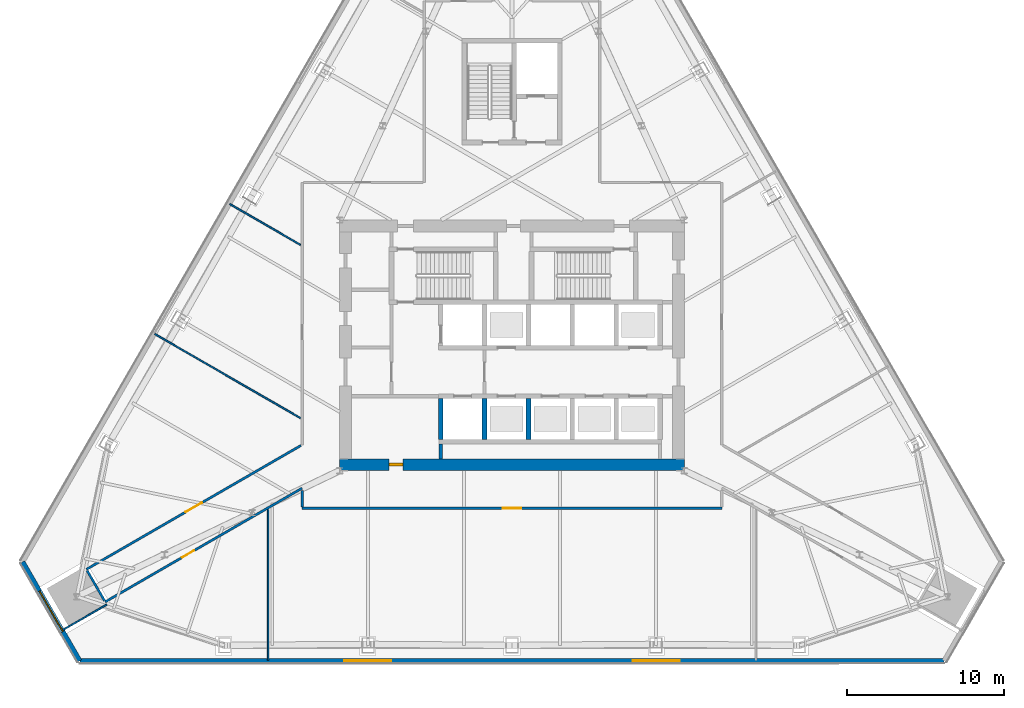
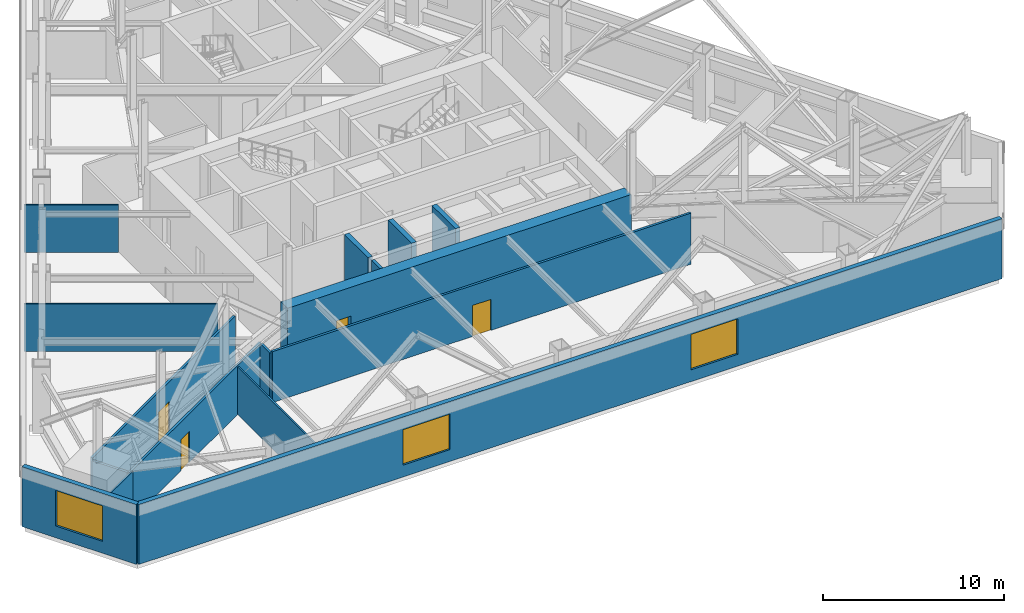
# One storey, part 8 of 13: 16 walls, 4 doors, 3 windows, 7 openings.
"""IFC4 building model written with IfcOpenShell, lengths in metres."""

from ifc_helpers import new_model, si_unit, direction, frame, frame_2d, origin, place, context, subcontext, project, spatial, rectangle, extrude, material, layer, layer_set, type_object, element, fill, save


model = new_model("IFC4")

# Units and contexts
model_context = context("Model", 3, precision=1e-05, world=origin(), true_north=direction((0.0, 1.0)))
body_context = subcontext(model_context, "Body", "Model", "MODEL_VIEW")
ifc_project = project(units=[si_unit("LENGTHUNIT", "METRE"), si_unit("AREAUNIT", "SQUARE_METRE"), si_unit("VOLUMEUNIT", "CUBIC_METRE"), si_unit("PLANEANGLEUNIT", "RADIAN"), si_unit("MASSUNIT", "GRAM", prefix="KILO")], contexts=[model_context])

# Site, building, storey
site_placement = place(None, origin())
site = spatial("IfcSite", under=ifc_project, at=site_placement, CompositionType="ELEMENT")
building_placement = place(site_placement, origin())
building = spatial("IfcBuilding", under=site, at=building_placement, Name="Firuza Gate Tower and Library", CompositionType="ELEMENT")
storey_placement = place(building_placement, frame((0.0, 0.0, 146.800048828125)))
storey = spatial("IfcBuildingStorey", under=building, at=storey_placement, Name="L33", CompositionType="ELEMENT", Elevation=146.800048828125)

# Walls
ifc_material_1 = material(Name="Plasterboard on steel studs", Category="steel")
ifc_layer_1 = layer(ifc_material_1, 0.199951171875)
ifc_layer_set_1 = layer_set([ifc_layer_1], Name="Core partition 200 EI 120")
wall_type_1 = type_object("IfcWallType", Name="Core partition 200 EI 120", PredefinedType="PARTITIONING", material=ifc_layer_set_1)
wall_1_placement = place(storey_placement, frame((70.449951171875, 67.75, 0.0), z_axis=(0.0, 0.0, 1.0), x_axis=(0.0, 1.0, 0.0)))
element("IfcWall", 1, at=wall_1_placement, inside=storey, type_object=wall_type_1, Name="Core partition L33 9", PredefinedType="PARTITIONING", context=body_context, shape_type="SweptSolid", body=[
    extrude(rectangle(XDim=0.949951171875, YDim=0.199951171875, at=frame_2d((0.47509765625, 0.0))), origin(), (0.0, 0.0, 1.0), 4.050048828125),
])
ifc_material_2 = material(Name="Concrete C80/95", Category="concrete")
ifc_layer_2 = layer(ifc_material_2, 0.300048828125)
ifc_layer_set_2 = layer_set([ifc_layer_2], Name="Core wall 300 C80/95")
wall_type_2 = type_object("IfcWallType", Name="Core wall 300 C80/95", PredefinedType="SHEAR", material=ifc_layer_set_2)
for number, where, z_axis, x_axis, name in (
    (2, (70.449951171875, 69.0, 0.0), (0.0, 0.0, 1.0), (0.0, 1.0, 0.0), "Core wall L33 8"),
    (3, (73.25, 69.0, 0.0), (0.0, 0.0, 1.0), (0.0, 1.0, 0.0), "Core wall L33 10"),
    (4, (76.050048828125, 69.0, 0.0), (0.0, 0.0, 1.0), (0.0, 1.0, 0.0), "Core wall L33 12"),
):
    element("IfcWall", number, at=place(storey_placement, frame(where, z_axis=z_axis, x_axis=x_axis)), inside=storey, type_object=wall_type_2, Name=name, PredefinedType="SHEAR", context=body_context, shape_type="SweptSolid", body=[
        extrude(rectangle(XDim=2.60009765625, YDim=0.300048828125, at=frame_2d((1.300048828125, 0.0))), origin(), (0.0, 0.0, 1.0), 4.050048828125),
    ])

# Wall, opening, door
ifc_material_3 = material(Name="Concrete C80/95", Category="concrete")
ifc_layer_3 = layer(ifc_material_3, 0.75)
ifc_layer_set_3 = layer_set([ifc_layer_3], Name="Core wall 750 C80/95")
wall_type_3 = type_object("IfcWallType", Name="Core wall 750 C80/95", PredefinedType="SHEAR", material=ifc_layer_set_3)
wall_2_placement = place(storey_placement, frame((64.0, 67.375, 0.0), z_axis=(0.0, 0.0, 1.0), x_axis=(1.0, 0.0, 0.0)))
wall_2 = element("IfcWall", 5, at=wall_2_placement, inside=storey, type_object=wall_type_3, Name="Core wall L33 1", PredefinedType="SHEAR", context=body_context, shape_type="SweptSolid", body=[
    extrude(rectangle(XDim=22.0, YDim=0.75, at=frame_2d((11.0, 0.0))), origin(), (0.0, 0.0, 1.0), 4.050048828125),
])
opening_1_placement = place(wall_2_placement, frame((3.14990234375, 0.0, 0.0)))
opening_1 = element("IfcOpeningElement", 6, at=opening_1_placement, cuts=wall_2, Name="Opening L33-K22", PredefinedType="OPENING", context=body_context, shape_type="SweptSolid", body=[
    extrude(rectangle(XDim=0.89990234375, YDim=2.10009765625, at=frame_2d((0.449951171875, 1.050048828125))), frame((0.0, 0.385009765625, 0.0), z_axis=(0.0, -1.0, 0.0), x_axis=(1.0, 0.0, 0.0)), (0.0, 0.0, 1.0), 0.77001953125),
])
ifc_material_4 = material(Name="Steel", Category="steel")
door_type_1 = type_object("IfcDoorType", Name="Fire door 900x2100 FD30S", OperationType="NOTDEFINED", PredefinedType="DOOR", material=ifc_material_4)
door_1_placement = place(opening_1_placement, origin())
door_1 = element("IfcDoor", 7, at=door_1_placement, inside=storey, type_object=door_type_1, Name="Door L33-K22", OperationType="SINGLE_SWING_LEFT", OverallHeight=2.10009765625, OverallWidth=0.89990234375, PredefinedType="DOOR", context=body_context, shape_type="SweptSolid", body=[
    extrude(rectangle(XDim=0.89990234375, YDim=2.10009765625, at=frame_2d((0.449951171875, 1.050048828125))), frame((0.0, 0.094970703125, 0.0), z_axis=(0.0, -1.0, 0.0), x_axis=(1.0, 0.0, 0.0)), (0.0, 0.0, 1.0), 0.18994140625),
])
fill(opening_1, door_1)

ifc_material_5 = material(Name="Gypsum board partition")
ifc_layer_4 = layer(ifc_material_5, 0.14990234375)
ifc_layer_set_4 = layer_set([ifc_layer_4], Name="Corridor wall 150 double board on steel studs")
wall_type_4 = type_object("IfcWallType", Name="Corridor wall 150 double board on steel studs", PredefinedType="PARTITIONING", material=ifc_layer_set_4)
wall_3_placement = place(storey_placement, frame((88.3994140625, 64.60009765625, 0.0), z_axis=(0.0, 0.0, 1.0), x_axis=(-1.0, 0.0, 0.0)))
wall_3 = element("IfcWall", 8, at=wall_3_placement, inside=storey, type_object=wall_type_4, Name="f:L33:w000", PredefinedType="PARTITIONING", context=body_context, shape_type="SweptSolid", body=[
    extrude(rectangle(XDim=26.798828125, YDim=0.14990234375, at=frame_2d((13.3994140625, 0.0))), origin(), (0.0, 0.0, 1.0), 3.449951171875),
])
opening_2_placement = place(wall_3_placement, frame((12.799560546875, 0.0, 0.0)))
opening_2 = element("IfcOpeningElement", 9, at=opening_2_placement, cuts=wall_3, Name="Opening L33-01", PredefinedType="OPENING", context=body_context, shape_type="SweptSolid", body=[
    extrude(rectangle(XDim=1.199951171875, YDim=2.10009765625, at=frame_2d((0.60009765625, 1.050048828125))), frame((0.0, 0.0849609375, 0.0), z_axis=(0.0, -1.0, 0.0), x_axis=(1.0, 0.0, 0.0)), (0.0, 0.0, 1.0), 0.169921875),
])
ifc_material_6 = material(Name="Steel door and timber leaf", Category="steel")
door_type_2 = type_object("IfcDoorType", Name="Fire door 1200 x 2100 steel frame, double leaf", OperationType="NOTDEFINED", PredefinedType="DOOR", material=ifc_material_6)
door_2_placement = place(opening_2_placement, origin())
door_2 = element("IfcDoor", 10, at=door_2_placement, inside=storey, type_object=door_type_2, Name="f:L33:d001", OperationType="DOUBLE_DOOR_SINGLE_SWING", OverallHeight=2.10009765625, OverallWidth=1.199951171875, PredefinedType="DOOR", context=body_context, shape_type="SweptSolid", body=[
    extrude(rectangle(XDim=1.199951171875, YDim=2.10009765625, at=frame_2d((0.60009765625, 1.050048828125))), frame((0.0, 0.02490234375, 0.0), z_axis=(0.0, -1.0, 0.0), x_axis=(1.0, 0.0, 0.0)), (0.0, 0.0, 1.0), 0.050048828125),
])
fill(opening_2, door_2)

wall_4_placement = place(storey_placement, frame((61.599853515625, 65.8779296875, 0.0), z_axis=(0.0, 0.0, 1.0), x_axis=(-0.866027154752, -0.499996967223, 0.0)))
wall_4 = element("IfcWall", 11, at=wall_4_placement, inside=storey, type_object=wall_type_4, Name="f:L33:w008", PredefinedType="PARTITIONING", context=body_context, shape_type="SweptSolid", body=[
    extrude(rectangle(XDim=14.5244140625, YDim=0.14990234375, at=frame_2d((7.26220703125, 0.0))), origin(), (0.0, 0.0, 1.0), 3.296875),
])
opening_3_placement = place(wall_4_placement, frame((7.964599609375, 0.0, 0.0)))
opening_3 = element("IfcOpeningElement", 12, at=opening_3_placement, cuts=wall_4, Name="Opening L33-05", PredefinedType="OPENING", context=body_context, shape_type="SweptSolid", body=[
    extrude(rectangle(XDim=0.89990234375, YDim=2.10009765625, at=frame_2d((0.449951171875, 1.050048828125))), frame((0.0, 0.0849609375, 0.0), z_axis=(0.0, -1.0, 0.0), x_axis=(1.0, 0.0, 0.0)), (0.0, 0.0, 1.0), 0.169921875),
])
ifc_material_7 = material(Name="Steel door and timber leaf", Category="steel")
door_type_3 = type_object("IfcDoorType", Name="Fire door 900 x 2100 steel frame, timber leaf", OperationType="NOTDEFINED", PredefinedType="DOOR", material=ifc_material_7)
door_3_placement = place(opening_3_placement, origin())
door_3 = element("IfcDoor", 13, at=door_3_placement, inside=storey, type_object=door_type_3, Name="f:L33:d005", OperationType="SINGLE_SWING_RIGHT", OverallHeight=2.10009765625, OverallWidth=0.89990234375, PredefinedType="DOOR", context=body_context, shape_type="SweptSolid", body=[
    extrude(rectangle(XDim=0.89990234375, YDim=2.10009765625, at=frame_2d((0.449951171875, 1.050048828125))), frame((0.0, 0.02490234375, 0.0), z_axis=(0.0, -1.0, 0.0), x_axis=(1.0, 0.0, 0.0)), (0.0, 0.0, 1.0), 0.050048828125),
])
fill(opening_3, door_3)

wall_5_placement = place(storey_placement, frame((47.822265625, 60.693359375, 0.0), z_axis=(0.0, 0.0, 1.0), x_axis=(0.866022169491, 0.500005601919, 0.0)))
wall_5 = element("IfcWall", 14, at=wall_5_placement, inside=storey, type_object=wall_type_4, Name="f:L33:w009", PredefinedType="PARTITIONING", context=body_context, shape_type="SweptSolid", body=[
    extrude(rectangle(XDim=15.822998046875, YDim=0.14990234375, at=frame_2d((7.91162109375, 0.0))), origin(), (0.0, 0.0, 1.0), 3.449951171875),
])
opening_4_placement = place(wall_5_placement, frame((7.3115234375, 0.0, 0.0)))
opening_4 = element("IfcOpeningElement", 15, at=opening_4_placement, cuts=wall_5, Name="Opening L33-06", PredefinedType="OPENING", context=body_context, shape_type="SweptSolid", body=[
    extrude(rectangle(XDim=1.199951171875, YDim=2.10009765625, at=frame_2d((0.60009765625, 1.050048828125))), frame((0.0, 0.0849609375, 0.0), z_axis=(0.0, -1.0, 0.0), x_axis=(1.0, 0.0, 0.0)), (0.0, 0.0, 1.0), 0.169921875),
])
door_4_placement = place(opening_4_placement, origin())
door_4 = element("IfcDoor", 16, at=door_4_placement, inside=storey, type_object=door_type_2, Name="f:L33:d006", OperationType="DOUBLE_DOOR_SINGLE_SWING", OverallHeight=2.10009765625, OverallWidth=1.199951171875, PredefinedType="DOOR", context=body_context, shape_type="SweptSolid", body=[
    extrude(rectangle(XDim=1.199951171875, YDim=2.10009765625, at=frame_2d((0.60009765625, 1.050048828125))), frame((0.0, 0.02490234375, 0.0), z_axis=(0.0, -1.0, 0.0), x_axis=(1.0, 0.0, 0.0)), (0.0, 0.0, 1.0), 0.050048828125),
])
fill(opening_4, door_4)

# Walls
wall_6_placement = place(storey_placement, frame((61.60009765625, 64.675537109375, 0.0), z_axis=(0.0, 0.0, 1.0), x_axis=(0.0, 1.0, 0.0)))
element("IfcWall", 17, at=wall_6_placement, inside=storey, type_object=wall_type_4, Name="f:L33:w020", PredefinedType="PARTITIONING", context=body_context, shape_type="SweptSolid", body=[
    extrude(rectangle(XDim=1.065673828125, YDim=0.14990234375, at=frame_2d((0.53271484375, 0.0))), origin(), (0.0, 0.0, 1.0), 3.296875),
])
wall_7_placement = place(storey_placement, frame((48.980712890625, 58.68505859375, 0.0), z_axis=(0.0, 0.0, 1.0), x_axis=(-0.500006267848, 0.866021785011, 0.0)))
element("IfcWall", 18, at=wall_7_placement, inside=storey, type_object=wall_type_4, Name="f:L33:w023", PredefinedType="PARTITIONING", context=body_context, shape_type="SweptSolid", body=[
    extrude(rectangle(XDim=2.23388671875, YDim=0.14990234375, at=frame_2d((1.116943359375, 0.0))), origin(), (0.0, 0.0, 1.0), 3.296875),
])
ifc_material_8 = material(Name="Gypsum board partition")
ifc_layer_5 = layer(ifc_material_8, 0.10009765625)
ifc_layer_set_5 = layer_set([ifc_layer_5], Name="Partition 100 gypsum board on steel studs")
wall_type_5 = type_object("IfcWallType", Name="Partition 100 gypsum board on steel studs", PredefinedType="PARTITIONING", material=ifc_layer_set_5)
wall_8_placement = place(storey_placement, frame((46.2998046875, 56.8134765625, 0.0), z_axis=(0.0, 0.0, 1.0), x_axis=(0.866034567317, 0.49998412796, 0.0)))
element("IfcWall", 19, at=wall_8_placement, inside=storey, type_object=wall_type_5, Name="f:L33:w007", PredefinedType="PARTITIONING", context=body_context, shape_type="SweptSolid", body=[
    extrude(rectangle(XDim=3.25732421875, YDim=0.10009765625, at=frame_2d((1.628662109375, 0.0))), origin(), (0.0, 0.0, 1.0), 3.449951171875),
])
wall_9_placement = place(storey_placement, frame((59.427978515625, 54.877197265625, 0.0), z_axis=(0.0, 0.0, 1.0), x_axis=(0.0, 1.0, 0.0)))
element("IfcWall", 20, at=wall_9_placement, inside=storey, type_object=wall_type_5, Name="f:L33:w022", PredefinedType="PARTITIONING", context=body_context, shape_type="SweptSolid", body=[
    extrude(rectangle(XDim=9.630126953125, YDim=0.10009765625, at=frame_2d((4.81494140625, 0.0))), origin(), (0.0, 0.0, 1.0), 3.21484375),
])
wall_10_placement = place(storey_placement, frame((61.498291015625, 81.410400390625, 0.0), z_axis=(0.0, 0.0, 1.0), x_axis=(-0.866017510603, 0.500013671143, 0.0)))
element("IfcWall", 21, at=wall_10_placement, inside=storey, type_object=wall_type_5, Name="f:L33:w027", PredefinedType="PARTITIONING", context=body_context, shape_type="SweptSolid", body=[
    extrude(rectangle(XDim=5.224853515625, YDim=0.10009765625, at=frame_2d((2.6123046875, 0.0))), origin(), (0.0, 0.0, 1.0), 3.21484375),
])
wall_11_placement = place(storey_placement, frame((61.498779296875, 70.34619140625, 0.0), z_axis=(0.0, 0.0, 1.0), x_axis=(-0.866026474193, 0.499998145993, 0.0)))
element("IfcWall", 22, at=wall_11_placement, inside=storey, type_object=wall_type_5, Name="f:L33:w029", PredefinedType="PARTITIONING", context=body_context, shape_type="SweptSolid", body=[
    extrude(rectangle(XDim=10.75732421875, YDim=0.10009765625, at=frame_2d((5.378662109375, 0.0))), origin(), (0.0, 0.0, 1.0), 3.21484375),
])

# Wall, openings, windows
ifc_material_9 = material(Name="Concrete C40/50", Category="concrete")
ifc_layer_6 = layer(ifc_material_9, 0.300048828125)
ifc_layer_set_6 = layer_set([ifc_layer_6], Name="Plant louvre wall 300")
wall_type_6 = type_object("IfcWallType", Name="Plant louvre wall 300", PredefinedType="SOLIDWALL", material=ifc_layer_set_6)
wall_12_placement = place(storey_placement, frame((47.39794921875, 54.84716796875, 0.0), z_axis=(0.0, 0.0, 1.0), x_axis=(1.0, 0.0, 0.0)))
wall_12 = element("IfcWall", 23, at=wall_12_placement, inside=storey, type_object=wall_type_6, Name="Plant louvre wall 1", PredefinedType="SOLIDWALL", context=body_context, shape_type="SweptSolid", body=[
    extrude(rectangle(XDim=55.2041015625, YDim=0.300048828125, at=frame_2d((27.60205078125, 0.0))), origin(), (0.0, 0.0, 1.0), 4.050048828125),
])
opening_5_placement = place(wall_12_placement, frame((16.895263671875, 0.0, 0.800048828125)))
opening_5 = element("IfcOpeningElement", 24, at=opening_5_placement, cuts=wall_12, Name="Opening WD3-001", PredefinedType="OPENING", context=body_context, shape_type="SweptSolid", body=[
    extrude(rectangle(XDim=3.0, YDim=2.39990234375, at=frame_2d((1.5, 1.199951171875))), frame((0.0, 0.16015625, 0.0), z_axis=(0.0, -1.0, 0.0), x_axis=(1.0, 0.0, 0.0)), (0.0, 0.0, 1.0), 0.320068359375),
])
opening_6_placement = place(wall_12_placement, frame((35.30859375, 0.0, 0.800048828125)))
opening_6 = element("IfcOpeningElement", 25, at=opening_6_placement, cuts=wall_12, Name="Opening WD3-002", PredefinedType="OPENING", context=body_context, shape_type="SweptSolid", body=[
    extrude(rectangle(XDim=3.0, YDim=2.39990234375, at=frame_2d((1.5, 1.199951171875))), frame((0.0, 0.16015625, 0.0), z_axis=(0.0, -1.0, 0.0), x_axis=(1.0, 0.0, 0.0)), (0.0, 0.0, 1.0), 0.320068359375),
])
ifc_material_10 = material(Name="Aluminium 6063-T6", Category="aluminium")
window_type = type_object("IfcWindowType", Name="Plant louvre 3000x2400", PartitioningType="SINGLE_PANEL", PredefinedType="WINDOW", material=ifc_material_10)
window_1_placement = place(opening_5_placement, origin())
window_1 = element("IfcWindow", 26, at=window_1_placement, inside=storey, type_object=window_type, Name="e:pwall:L33:0/L0", OverallHeight=2.39990234375, OverallWidth=3.0, PartitioningType="SINGLE_PANEL", PredefinedType="WINDOW", context=body_context, shape_type="SweptSolid", body=[
    extrude(rectangle(XDim=3.0, YDim=2.39990234375, at=frame_2d((1.5, 1.199951171875))), frame((0.0, 0.030029296875, 0.0), z_axis=(0.0, -1.0, 0.0), x_axis=(1.0, 0.0, 0.0)), (0.0, 0.0, 1.0), 0.06005859375),
])
fill(opening_5, window_1)
window_2_placement = place(opening_6_placement, origin())
window_2 = element("IfcWindow", 27, at=window_2_placement, inside=storey, type_object=window_type, Name="e:pwall:L33:0/L1", OverallHeight=2.39990234375, OverallWidth=3.0, PartitioningType="SINGLE_PANEL", PredefinedType="WINDOW", context=body_context, shape_type="SweptSolid", body=[
    extrude(rectangle(XDim=3.0, YDim=2.39990234375, at=frame_2d((1.5, 1.199951171875))), frame((0.0, 0.030029296875, 0.0), z_axis=(0.0, -1.0, 0.0), x_axis=(1.0, 0.0, 0.0)), (0.0, 0.0, 1.0), 0.06005859375),
])
fill(opening_6, window_2)

# Wall, opening, window
wall_13_placement = place(storey_placement, frame((43.74609375, 61.17236328125, 0.0), z_axis=(0.0, 0.0, 1.0), x_axis=(0.500000231294, -0.866025270247, 0.0)))
wall_13 = element("IfcWall", 28, at=wall_13_placement, inside=storey, type_object=wall_type_6, Name="Plant louvre wall 6", PredefinedType="SOLIDWALL", context=body_context, shape_type="SweptSolid", body=[
    extrude(rectangle(XDim=7.3037109375, YDim=0.300048828125, at=frame_2d((3.65185546875, 0.0))), origin(), (0.0, 0.0, 1.0), 4.050048828125),
])
opening_7_placement = place(wall_13_placement, frame((2.15185546875, 0.0, 0.800048828125)))
opening_7 = element("IfcOpeningElement", 29, at=opening_7_placement, cuts=wall_13, Name="Opening WD3-009", PredefinedType="OPENING", context=body_context, shape_type="SweptSolid", body=[
    extrude(rectangle(XDim=3.0, YDim=2.39990234375, at=frame_2d((1.5, 1.199951171875))), frame((0.0, 0.16015625, 0.0), z_axis=(0.0, -1.0, 0.0), x_axis=(1.0, 0.0, 0.0)), (0.0, 0.0, 1.0), 0.320068359375),
])
window_3_placement = place(opening_7_placement, origin())
window_3 = element("IfcWindow", 30, at=window_3_placement, inside=storey, type_object=window_type, Name="e:pwall:L33:5/L0", OverallHeight=2.39990234375, OverallWidth=3.0, PartitioningType="SINGLE_PANEL", PredefinedType="WINDOW", context=body_context, shape_type="SweptSolid", body=[
    extrude(rectangle(XDim=3.0, YDim=2.39990234375, at=frame_2d((1.5, 1.199951171875))), frame((0.0, 0.030029296875, 0.0), z_axis=(0.0, -1.0, 0.0), x_axis=(1.0, 0.0, 0.0)), (0.0, 0.0, 1.0), 0.06005859375),
])
fill(opening_7, window_3)

save(model, "model.ifc")
